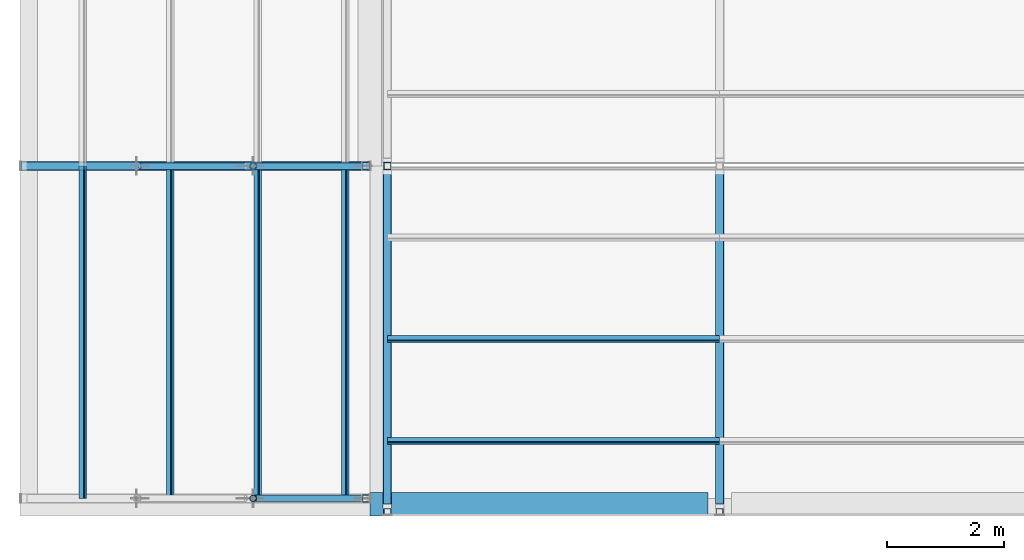
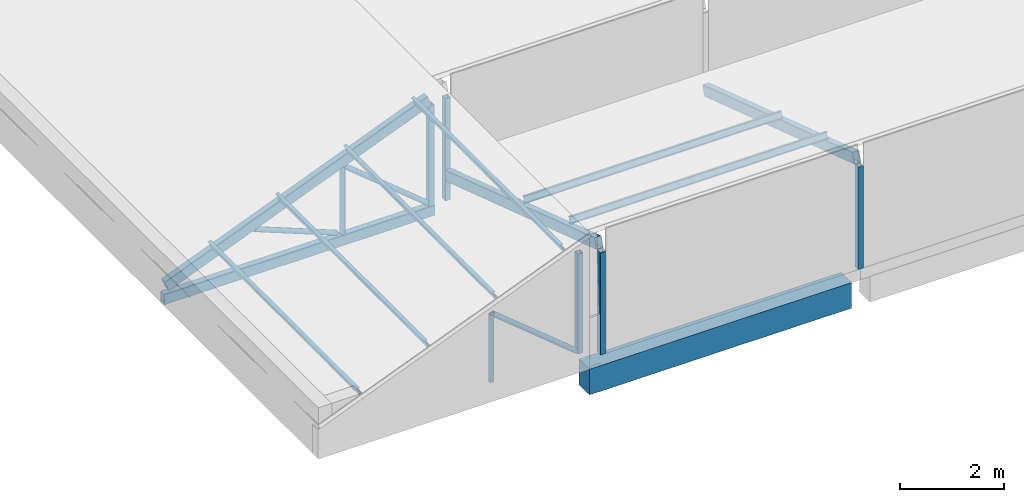
# One storey, part 2 of 118: 20 members, 1 beam.
"""IFC4 building model written with IfcOpenShell, lengths in metres."""

from ifc_helpers import new_model, si_unit, direction, frame, origin, origin_2d, place, context, subcontext, project, spatial, rectangle, hollow_rectangle, hollow_circle, i_section, extrude, material, material_profile, profile_set, type_object, element, save


model = new_model("IFC4")

# Units and contexts
model_context = context("Model", 3, precision=1e-05, world=origin(), true_north=direction((0.0, 1.0)))
body_context = subcontext(model_context, "Body", "Model", "MODEL_VIEW")
ifc_project = project(units=[si_unit("LENGTHUNIT", "METRE"), si_unit("AREAUNIT", "SQUARE_METRE"), si_unit("VOLUMEUNIT", "CUBIC_METRE"), si_unit("PLANEANGLEUNIT", "RADIAN"), si_unit("MASSUNIT", "GRAM", prefix="KILO")], contexts=[model_context])

# Site, building, storey
site_placement = place(None, origin())
site = spatial("IfcSite", under=ifc_project, at=site_placement, CompositionType="ELEMENT")
building_placement = place(site_placement, origin())
building = spatial("IfcBuilding", under=site, at=building_placement, Name="Saffron Lane Theatres", CompositionType="ELEMENT")
storey_placement = place(building_placement, frame((0.0, 0.0, 16.5)))
storey = spatial("IfcBuildingStorey", under=building, at=storey_placement, Name="L03", CompositionType="ELEMENT", Elevation=16.5)

# Beam
ifc_material_1 = material(Name="Concrete N40 (40 MPa)", Category="concrete")
ifc_material_profile_1 = material_profile(ifc_material_1, rectangle(XDim=0.39990234375, YDim=0.60009765625, at=origin_2d()))
ifc_profile_set_1 = profile_set([ifc_material_profile_1], Name="Concrete N40 (40 MPa)")
beam_type = type_object("IfcBeamType", Name="RC-BEAM 400x600", PredefinedType="BEAM", material=ifc_profile_set_1)
beam_placement = place(storey_placement, frame((6.0, 0.200439453125, -0.300048828125), z_axis=(1.0, 0.0, 0.0), x_axis=(0.0, 1.0, 0.0)))
element("IfcBeam", 1, at=beam_placement, inside=storey, type_object=beam_type, Name="beam-eaves-x0-62", PredefinedType="BEAM", context=body_context, shape_type="SweptSolid", body=[
    extrude(rectangle(XDim=0.39990234375, YDim=0.60009765625, at=origin_2d()), origin(), (0.0, 0.0, 1.0), 5.800048828125),
])

# Members
ifc_material_2 = material(Name="Steel Grade 350", Category="steel")
ifc_material_profile_2 = material_profile(ifc_material_2, hollow_rectangle(XDim=0.125, YDim=0.125, WallThickness=0.006103515625, InnerFilletRadius=0.0029296875, OuterFilletRadius=0.009033203125, at=origin_2d()))
ifc_profile_set_2 = profile_set([ifc_material_profile_2], Name="Steel Grade 350")
member_type_1 = type_object("IfcMemberType", Name="ST-STUDIO POST 125x125x6 SHS", PredefinedType="POST", material=ifc_profile_set_2)
for number, where, z_axis, x_axis, name in (
    (2, (6.300048828125, 0.0625, 0.25), (0.0, 0.0, 1.0), (1.0, 0.0, 0.0), "GBP2"),
    (3, (6.300048828125, 6.0, 0.25), (0.0, 0.0, 1.0), (1.0, 0.0, 0.0), "GBP4"),
    (4, (12.0, 0.0625, 0.25), (0.0, 0.0, 1.0), (1.0, 0.0, 0.0), "GBP10"),
):
    element("IfcMember", number, at=place(storey_placement, frame(where, z_axis=z_axis, x_axis=x_axis)), inside=storey, type_object=member_type_1, Name=name, PredefinedType="POST", context=body_context, shape_type="SweptSolid", body=[
        extrude(hollow_rectangle(XDim=0.125, YDim=0.125, WallThickness=0.006103515625, InnerFilletRadius=0.0029296875, OuterFilletRadius=0.009033203125, at=origin_2d()), origin(), (0.0, 0.0, 1.0), 2.388671875),
    ])
for number, where, z_axis, x_axis, name in (
    (5, (5.9375, 0.300048828125, 0.25), (0.0, 0.0, 1.0), (1.0, 0.0, 0.0), "GWP3"),
    (6, (5.9375, 6.0, 0.25), (0.0, 0.0, 1.0), (1.0, 0.0, 0.0), "GWP10"),
):
    element("IfcMember", number, at=place(storey_placement, frame(where, z_axis=z_axis, x_axis=x_axis)), inside=storey, type_object=member_type_1, Name=name, PredefinedType="POST", context=body_context, shape_type="SweptSolid", body=[
        extrude(hollow_rectangle(XDim=0.125, YDim=0.125, WallThickness=0.006103515625, InnerFilletRadius=0.0029296875, OuterFilletRadius=0.009033203125, at=origin_2d()), origin(), (0.0, 0.0, 1.0), 2.33544921875),
    ])
ifc_material_3 = material(Name="Steel Grade 350", Category="steel")
ifc_material_profile_3 = material_profile(ifc_material_3, i_section(OverallWidth=0.074951171875, OverallDepth=0.155029296875, WebThickness=0.006103515625, FlangeThickness=0.009521484375, FilletRadius=0.008056640625, at=origin_2d()))
ifc_profile_set_3 = profile_set([ifc_material_profile_3], Name="Steel Grade 350")
member_type_2 = type_object("IfcMemberType", Name="ST-STUDIO PURLIN 150UB18.0", PredefinedType="PURLIN", material=ifc_profile_set_3)
for number, where, z_axis, x_axis, name in (
    (7, (6.300048828125, 1.28759765625, 2.60009765625), (1.0, 0.0, 0.0), (0.0, 0.949628648787, -0.313377455162), "GBU41"),
    (8, (6.300048828125, 3.03125, 2.024658203125), (1.0, 0.0, 0.0), (0.0, 0.949628648787, -0.313377455162), "GBU45"),
    (9, (1.0791015625, 0.300048828125, 1.03125), (0.0, 1.0, 0.0), (-0.929273373147, 0.0, -0.36939274216), "GWU43"),
    (10, (2.5791015625, 0.300048828125, 1.627685546875), (0.0, 1.0, 0.0), (-0.929273373147, 0.0, -0.36939274216), "GWU48"),
    (11, (4.0791015625, 0.300048828125, 2.223876953125), (0.0, 1.0, 0.0), (-0.929273373147, 0.0, -0.36939274216), "GWU53"),
    (12, (5.5791015625, 0.300048828125, 2.820068359375), (0.0, 1.0, 0.0), (-0.929273373147, 0.0, -0.36939274216), "GWU58"),
):
    element("IfcMember", number, at=place(storey_placement, frame(where, z_axis=z_axis, x_axis=x_axis)), inside=storey, type_object=member_type_2, Name=name, PredefinedType="PURLIN", context=body_context, shape_type="SweptSolid", body=[
        extrude(i_section(OverallWidth=0.074951171875, OverallDepth=0.155029296875, WebThickness=0.006103515625, FlangeThickness=0.009521484375, FilletRadius=0.008056640625, at=origin_2d()), origin(), (0.0, 0.0, 1.0), 5.699951171875),
    ])
ifc_material_4 = material(Name="Steel Grade 350", Category="steel")
ifc_material_profile_4 = material_profile(ifc_material_4, hollow_rectangle(XDim=0.14990234375, YDim=0.25, WallThickness=0.009033203125, InnerFilletRadius=0.00439453125, OuterFilletRadius=0.013427734375, at=origin_2d()))
ifc_profile_set_4 = profile_set([ifc_material_profile_4], Name="Steel Grade 350")
member_type_3 = type_object("IfcMemberType", Name="ST-STUDIO TRUSS CHORD 250x150x9 RHS", PredefinedType="CHORD", material=ifc_profile_set_4)
for number, where, z_axis, x_axis, name in (
    (13, (6.300048828125, 0.1640625, 2.757568359375), (0.0, 0.949629130372, -0.313375995807), (-1.0, 0.0, 0.0), "GBC3"),
    (14, (12.0, 0.1640625, 2.757568359375), (0.0, 0.949629130372, -0.313375995807), (-1.0, 0.0, 0.0), "GBC11"),
):
    element("IfcMember", number, at=place(storey_placement, frame(where, z_axis=z_axis, x_axis=x_axis)), inside=storey, type_object=member_type_3, Name=name, PredefinedType="CHORD", context=body_context, shape_type="SweptSolid", body=[
        extrude(hollow_rectangle(XDim=0.14990234375, YDim=0.25, WallThickness=0.009033203125, InnerFilletRadius=0.00439453125, OuterFilletRadius=0.013427734375, at=origin_2d()), origin(), (0.0, 0.0, 1.0), 6.03857421875),
    ])
member_1_placement = place(storey_placement, frame((0.02001953125, 6.0, 0.125), z_axis=(1.0, 0.0, 0.0), x_axis=(0.0, 1.0, 0.0)))
element("IfcMember", 15, at=member_1_placement, inside=storey, type_object=member_type_3, Name="GWT8", PredefinedType="CHORD", context=body_context, shape_type="SweptSolid", body=[
    extrude(hollow_rectangle(XDim=0.14990234375, YDim=0.25, WallThickness=0.009033203125, InnerFilletRadius=0.00439453125, OuterFilletRadius=0.013427734375, at=origin_2d()), origin(), (0.0, 0.0, 1.0), 5.97998046875),
])
member_2_placement = place(storey_placement, frame((0.076171875, 6.0, 0.414794921875), z_axis=(0.929276333654, 0.0, 0.369385294388), x_axis=(0.0, 1.0, 0.0)))
element("IfcMember", 16, at=member_2_placement, inside=storey, type_object=member_type_3, Name="GWC9", PredefinedType="CHORD", context=body_context, shape_type="SweptSolid", body=[
    extrude(hollow_rectangle(XDim=0.14990234375, YDim=0.25, WallThickness=0.009033203125, InnerFilletRadius=0.00439453125, OuterFilletRadius=0.013427734375, at=origin_2d()), origin(), (0.0, 0.0, 1.0), 6.2578125),
])
ifc_material_5 = material(Name="Steel Grade 350", Category="steel")
ifc_material_profile_5 = material_profile(ifc_material_5, hollow_circle(Radius=0.05712890625, WallThickness=0.006103515625, at=origin_2d()))
ifc_profile_set_5 = profile_set([ifc_material_profile_5], Name="Steel Grade 350")
member_type_4 = type_object("IfcMemberType", Name="ST-STUDIO TRUSS WEB 114.3x6.0 CHS", PredefinedType="BRACE", material=ifc_profile_set_5)
member_3_placement = place(storey_placement, frame((4.0, 0.300048828125, 0.25), z_axis=(0.0, 0.0, 1.0), x_axis=(1.0, 0.0, 0.0)))
element("IfcMember", 17, at=member_3_placement, inside=storey, type_object=member_type_4, Name="GWW5", PredefinedType="BRACE", context=body_context, shape_type="SweptSolid", body=[
    extrude(hollow_circle(Radius=0.05712890625, WallThickness=0.006103515625, at=origin_2d()), origin(), (0.0, 0.0, 1.0), 1.5673828125),
])
member_4_placement = place(storey_placement, frame((5.8837890625, 0.300048828125, 0.294189453125), z_axis=(-0.773024871508, 0.0, 0.634375715195), x_axis=(0.0, -1.0, 0.0)))
element("IfcMember", 18, at=member_4_placement, inside=storey, type_object=member_type_4, Name="GWW6", PredefinedType="BRACE", context=body_context, shape_type="SweptSolid", body=[
    extrude(hollow_circle(Radius=0.05712890625, WallThickness=0.006103515625, at=origin_2d()), origin(), (0.0, 0.0, 1.0), 2.4052734375),
])
member_5_placement = place(storey_placement, frame((4.0, 6.0, 0.25), z_axis=(0.0, 0.0, 1.0), x_axis=(1.0, 0.0, 0.0)))
element("IfcMember", 19, at=member_5_placement, inside=storey, type_object=member_type_4, Name="GWW12", PredefinedType="BRACE", context=body_context, shape_type="SweptSolid", body=[
    extrude(hollow_circle(Radius=0.05712890625, WallThickness=0.006103515625, at=origin_2d()), origin(), (0.0, 0.0, 1.0), 1.5673828125),
])
member_6_placement = place(storey_placement, frame((5.8837890625, 6.0, 0.294189453125), z_axis=(-0.773024871508, 0.0, 0.634375715195), x_axis=(0.0, -1.0, 0.0)))
element("IfcMember", 20, at=member_6_placement, inside=storey, type_object=member_type_4, Name="GWW13", PredefinedType="BRACE", context=body_context, shape_type="SweptSolid", body=[
    extrude(hollow_circle(Radius=0.05712890625, WallThickness=0.006103515625, at=origin_2d()), origin(), (0.0, 0.0, 1.0), 2.4052734375),
])
member_7_placement = place(storey_placement, frame((3.866455078125, 6.0, 0.30322265625), z_axis=(-0.929295525906, 0.0, 0.369337008071), x_axis=(0.0, -1.0, 0.0)))
element("IfcMember", 21, at=member_7_placement, inside=storey, type_object=member_type_4, Name="GWW14", PredefinedType="BRACE", context=body_context, shape_type="SweptSolid", body=[
    extrude(hollow_circle(Radius=0.05712890625, WallThickness=0.006103515625, at=origin_2d()), origin(), (0.0, 0.0, 1.0), 1.947998046875),
])

save(model, "model.ifc")
